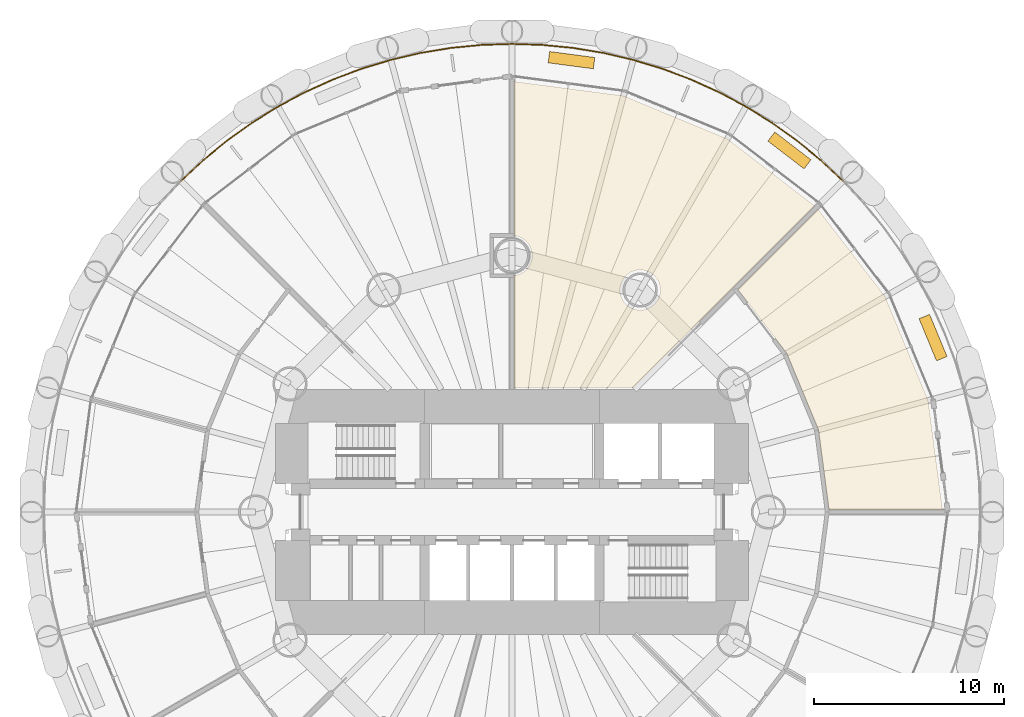
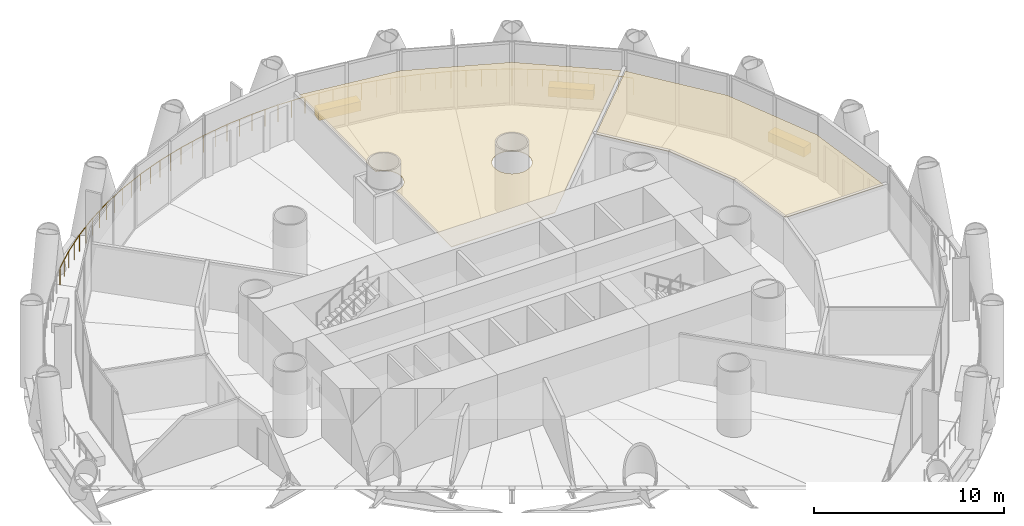
# One storey, part 16 of 16: 5 coverings, 1 railing.
"""IFC4 building model written with IfcOpenShell, lengths in metres."""

from ifc_helpers import new_model, si_unit, direction, frame, origin, origin_2d, place, context, subcontext, project, spatial, polyline, rectangle, circle, outline, extrude, material, layer, layer_set, type_object, element, save


model = new_model("IFC4")

# Units and contexts
model_context = context("Model", 3, precision=1e-05, world=origin(), true_north=direction((0.0, 1.0)))
body_context = subcontext(model_context, "Body", "Model", "MODEL_VIEW")
ifc_project = project(units=[si_unit("LENGTHUNIT", "METRE"), si_unit("AREAUNIT", "SQUARE_METRE"), si_unit("VOLUMEUNIT", "CUBIC_METRE"), si_unit("PLANEANGLEUNIT", "RADIAN"), si_unit("MASSUNIT", "GRAM", prefix="KILO")], contexts=[model_context])

# Site, building, storey
site_placement = place(None, origin())
site = spatial("IfcSite", under=ifc_project, at=site_placement, CompositionType="ELEMENT")
building_placement = place(site_placement, origin())
building = spatial("IfcBuilding", under=site, at=building_placement, Name="Qaws Media Tower", CompositionType="ELEMENT")
storey_placement = place(building_placement, frame((0.0, 0.0, 105.800048828125)))
storey = spatial("IfcBuildingStorey", under=building, at=storey_placement, Name="L23", CompositionType="ELEMENT", Elevation=105.800048828125)

# Coverings
ifc_material_1 = material(Name="40 perforated acoustic panels with mineral wool backing, suspended", Category="mineral fibre")
ifc_layer_1 = layer(ifc_material_1, 0.0400390625)
ifc_layer_set_1 = layer_set([ifc_layer_1], Name="Acoustic panel ceiling 40")
covering_type_1 = type_object("IfcCoveringType", Name="Acoustic panel ceiling 40", PredefinedType="CEILING", material=ifc_layer_set_1)
covering_1_placement = place(storey_placement, frame((0.0, 0.0, 2.849853515625)))
element("IfcCovering", 1, at=covering_1_placement, inside=storey, type_object=covering_type_1, Name="CL3 ceiling L23-02 Staff restaurant", PredefinedType="CEILING", context=body_context, shape_type="SweptSolid", body=[
    extrude(outline(polyline([(79.64599609375, 61.342529296875), (81.912353515625, 55.871337890625), (82.67041015625, 50.112548828125), (76.69873046875, 50.112548828125), (76.14404296875, 54.32568359375), (74.474365234375, 58.356689453125), (71.88720703125, 61.728271484375), (76.110107421875, 65.950927734375), (79.64599609375, 61.342529296875)])), origin(), (0.0, 0.0, 1.0), 0.0400390625),
])
covering_2_placement = place(storey_placement, frame((0.0, 0.0, 2.849853515625)))
element("IfcCovering", 2, at=covering_2_placement, inside=storey, type_object=covering_type_1, Name="CL3 ceiling L23-03 Staff restaurant", PredefinedType="CEILING", context=body_context, shape_type="SweptSolid", body=[
    extrude(outline(polyline([(65.871337890625, 71.912353515625), (71.342529296875, 69.64599609375), (75.950927734375, 66.110107421875), (66.4033203125, 56.5625), (60.112548828125, 56.5625), (60.112548828125, 62.447509765625), (60.138427734375, 62.44921875), (60.2744140625, 62.47607421875), (60.405517578125, 62.520751953125), (60.530029296875, 62.58203125), (60.645263671875, 62.658935546875), (60.74951171875, 62.75048828125), (60.841064453125, 62.854736328125), (60.91796875, 62.969970703125), (60.979248046875, 63.094482421875), (61.02392578125, 63.2255859375), (61.05078125, 63.361572265625), (61.06005859375, 63.5), (61.05078125, 63.638427734375), (61.02392578125, 63.7744140625), (60.979248046875, 63.905517578125), (60.91796875, 64.030029296875), (60.841064453125, 64.145263671875), (60.74951171875, 64.24951171875), (60.645263671875, 64.341064453125), (60.530029296875, 64.41796875), (60.405517578125, 64.479248046875), (60.2744140625, 64.52392578125), (60.138427734375, 64.55078125), (60.112548828125, 64.552490234375), (60.112548828125, 72.67041015625), (65.871337890625, 71.912353515625)]), holes=[polyline([(67.729248046875, 61.28564453125), (67.77392578125, 61.4169921875), (67.80078125, 61.552978515625), (67.81005859375, 61.69140625), (67.80078125, 61.82958984375), (67.77392578125, 61.9658203125), (67.729248046875, 62.096923828125), (67.66796875, 62.22119140625), (67.591064453125, 62.336669921875), (67.49951171875, 62.44091796875), (67.395263671875, 62.5322265625), (67.280029296875, 62.609375), (67.155517578125, 62.670654296875), (67.0244140625, 62.715087890625), (66.888427734375, 62.7421875), (66.75, 62.751220703125), (66.611572265625, 62.7421875), (66.4755859375, 62.715087890625), (66.344482421875, 62.670654296875), (66.219970703125, 62.609375), (66.104736328125, 62.5322265625), (66.00048828125, 62.44091796875), (65.908935546875, 62.336669921875), (65.83203125, 62.22119140625), (65.770751953125, 62.096923828125), (65.72607421875, 61.9658203125), (65.69921875, 61.82958984375), (65.68994140625, 61.69140625), (65.69921875, 61.552978515625), (65.72607421875, 61.4169921875), (65.770751953125, 61.28564453125), (65.83203125, 61.161376953125), (65.908935546875, 61.046142578125), (66.00048828125, 60.94189453125), (66.104736328125, 60.850341796875), (66.219970703125, 60.7734375), (66.344482421875, 60.7119140625), (66.4755859375, 60.66748046875), (66.611572265625, 60.640380859375), (66.75, 60.63134765625), (66.888427734375, 60.640380859375), (67.0244140625, 60.66748046875), (67.155517578125, 60.7119140625), (67.280029296875, 60.7734375), (67.395263671875, 60.850341796875), (67.49951171875, 60.94189453125), (67.591064453125, 61.046142578125), (67.66796875, 61.161376953125), (67.729248046875, 61.28564453125)])]), origin(), (0.0, 0.0, 1.0), 0.0400390625),
])

# Railing
ifc_material_2 = material(Name="Stainless steel and glass guard", Category="steel")
railing_type = type_object("IfcRailingType", Name="Balcony guard 1100", PredefinedType="GUARDRAIL", material=ifc_material_2)
railing_placement = place(storey_placement, frame((77.43017578125, 67.43017578125, 0.0)))
element("IfcRailing", 3, at=railing_placement, inside=storey, type_object=railing_type, Name="GR1 balcony guard L23-1", PredefinedType="GUARDRAIL", context=body_context, shape_type="SweptSolid", body=[
    extrude(circle(Radius=0.02392578125, at=origin_2d()), frame((0.0, 0.0, 1.076171875), z_axis=(-0.729810897711, 0.683649071953, 0.0), x_axis=(-0.683649071953, -0.729810897711, 0.0)), (0.0, 0.0, 1.0), 1.613037109375),
    extrude(circle(Radius=0.02392578125, at=origin_2d()), frame((-1.17724609375, 1.102783203125, 1.076171875), z_axis=(-0.773086691334, 0.634300376543, 0.0), x_axis=(-0.634300376543, -0.773086691334, 0.0)), (0.0, 0.0, 1.0), 1.613037109375),
    extrude(circle(Radius=0.02392578125, at=origin_2d()), frame((-2.42431640625, 2.1259765625, 1.076171875), z_axis=(-0.8128529613, 0.582468937632, 0.0), x_axis=(-0.582468937632, -0.8128529613, 0.0)), (0.0, 0.0, 1.0), 1.61279296875),
    extrude(circle(Radius=0.02392578125, at=origin_2d()), frame((-3.7353515625, 3.0654296875, 1.076171875), z_axis=(-0.849211955716, 0.52805213215, 0.0), x_axis=(-0.52805213215, -0.849211955716, 0.0)), (0.0, 0.0, 1.0), 1.613037109375),
    extrude(circle(Radius=0.02392578125, at=origin_2d()), frame((-5.105224609375, 3.917236328125, 1.076171875), z_axis=(-0.881895867878, 0.471444247201, 0.0), x_axis=(-0.471444247201, -0.881895867878, 0.0)), (0.0, 0.0, 1.0), 1.613037109375),
    extrude(circle(Radius=0.02392578125, at=origin_2d()), frame((-6.52783203125, 4.677734375, 1.076171875), z_axis=(-0.910847911629, 0.412742149387, 0.0), x_axis=(-0.412742149387, -0.910847911629, 0.0)), (0.0, 0.0, 1.0), 1.613037109375),
    extrude(circle(Radius=0.02392578125, at=origin_2d()), frame((-7.9970703125, 5.343505859375, 1.076171875), z_axis=(-0.93591173605, 0.352234612614, 0.0), x_axis=(-0.352234612614, -0.93591173605, 0.0)), (0.0, 0.0, 1.0), 1.61279296875),
    extrude(circle(Radius=0.02392578125, at=origin_2d()), frame((-9.506591796875, 5.91162109375, 1.076171875), z_axis=(-0.956942903571, 0.290276212091, 0.0), x_axis=(-0.290276212091, -0.956942903571, 0.0)), (0.0, 0.0, 1.0), 1.613037109375),
    extrude(circle(Radius=0.02392578125, at=origin_2d()), frame((-11.05029296875, 6.3798828125, 1.076171875), z_axis=(-0.973883619679, 0.22704778202, 0.0), x_axis=(-0.22704778202, -0.973883619679, 0.0)), (0.0, 0.0, 1.0), 1.613037109375),
    extrude(circle(Radius=0.02392578125, at=origin_2d()), frame((-12.62109375, 6.74609375, 1.076171875), z_axis=(-0.986626086838, 0.162999891935, 0.0), x_axis=(-0.162999891935, -0.986626086838, 0.0)), (0.0, 0.0, 1.0), 1.613037109375),
    extrude(circle(Radius=0.02392578125, at=origin_2d()), frame((-14.212646484375, 7.009033203125, 1.076171875), z_axis=(-0.995193300671, 0.09793004799, 0.0), x_axis=(-0.09793004799, -0.995193300671, 0.0)), (0.0, 0.0, 1.0), 1.613037109375),
    extrude(circle(Radius=0.02392578125, at=origin_2d()), frame((-15.81787109375, 7.1669921875, 1.076171875), z_axis=(-0.999465540133, 0.032689969211, 0.0), x_axis=(-0.032689969211, -0.999465540133, 0.0)), (0.0, 0.0, 1.0), 1.61328125),
    extrude(circle(Radius=0.02392578125, at=origin_2d()), frame((-17.43017578125, 7.2197265625, 1.076171875), z_axis=(-0.999465540133, -0.032689969211, 0.0), x_axis=(0.032689969211, -0.999465540133, 0.0)), (0.0, 0.0, 1.0), 1.61328125),
    extrude(circle(Radius=0.02392578125, at=origin_2d()), frame((-19.04248046875, 7.1669921875, 1.076171875), z_axis=(-0.995193300671, -0.09793004799, 0.0), x_axis=(0.09793004799, -0.995193300671, 0.0)), (0.0, 0.0, 1.0), 1.613037109375),
    extrude(circle(Radius=0.02392578125, at=origin_2d()), frame((-20.647705078125, 7.009033203125, 1.076171875), z_axis=(-0.986626086838, -0.162999891935, 0.0), x_axis=(0.162999891935, -0.986626086838, 0.0)), (0.0, 0.0, 1.0), 1.613037109375),
    extrude(circle(Radius=0.02392578125, at=origin_2d()), frame((-22.2392578125, 6.74609375, 1.076171875), z_axis=(-0.973883619679, -0.22704778202, 0.0), x_axis=(0.22704778202, -0.973883619679, 0.0)), (0.0, 0.0, 1.0), 1.613037109375),
    extrude(circle(Radius=0.02392578125, at=origin_2d()), frame((-23.81005859375, 6.3798828125, 1.076171875), z_axis=(-0.956942903571, -0.290276212091, 0.0), x_axis=(0.290276212091, -0.956942903571, 0.0)), (0.0, 0.0, 1.0), 1.613037109375),
    extrude(circle(Radius=0.02392578125, at=origin_2d()), frame((-25.353759765625, 5.91162109375, 1.076171875), z_axis=(-0.93591173605, -0.352234612614, 0.0), x_axis=(0.352234612614, -0.93591173605, 0.0)), (0.0, 0.0, 1.0), 1.61279296875),
    extrude(circle(Radius=0.02392578125, at=origin_2d()), frame((-26.86328125, 5.343505859375, 1.076171875), z_axis=(-0.910847911629, -0.412742149387, 0.0), x_axis=(0.412742149387, -0.910847911629, 0.0)), (0.0, 0.0, 1.0), 1.613037109375),
    extrude(circle(Radius=0.02392578125, at=origin_2d()), frame((-28.33251953125, 4.677734375, 1.076171875), z_axis=(-0.881895867878, -0.471444247201, 0.0), x_axis=(0.471444247201, -0.881895867878, 0.0)), (0.0, 0.0, 1.0), 1.613037109375),
    extrude(circle(Radius=0.02392578125, at=origin_2d()), frame((-29.755126953125, 3.917236328125, 1.076171875), z_axis=(-0.849211955716, -0.52805213215, 0.0), x_axis=(0.52805213215, -0.849211955716, 0.0)), (0.0, 0.0, 1.0), 1.613037109375),
    extrude(circle(Radius=0.02392578125, at=origin_2d()), frame((-31.125, 3.0654296875, 1.076171875), z_axis=(-0.8128529613, -0.582468937632, 0.0), x_axis=(0.582468937632, -0.8128529613, 0.0)), (0.0, 0.0, 1.0), 1.61279296875),
    extrude(circle(Radius=0.02392578125, at=origin_2d()), frame((-32.43603515625, 2.1259765625, 1.076171875), z_axis=(-0.773086691334, -0.634300376543, 0.0), x_axis=(0.634300376543, -0.773086691334, 0.0)), (0.0, 0.0, 1.0), 1.613037109375),
    extrude(circle(Radius=0.02392578125, at=origin_2d()), frame((-33.68310546875, 1.102783203125, 1.076171875), z_axis=(-0.729810897711, -0.683649071953, 0.0), x_axis=(0.683649071953, -0.729810897711, 0.0)), (0.0, 0.0, 1.0), 1.613037109375),
    extrude(circle(Radius=0.02099609375, at=origin_2d()), origin(), (0.0, 0.0, 1.0), 1.052001953125),
    extrude(circle(Radius=0.02099609375, at=origin_2d()), frame((-0.588623046875, 0.55126953125, 0.0)), (0.0, 0.0, 1.0), 1.052001953125),
    extrude(circle(Radius=0.02099609375, at=origin_2d()), frame((-1.17724609375, 1.102783203125, 0.0)), (0.0, 0.0, 1.0), 1.052001953125),
    extrude(circle(Radius=0.02099609375, at=origin_2d()), frame((-1.80078125, 1.6142578125, 0.0)), (0.0, 0.0, 1.0), 1.052001953125),
    extrude(circle(Radius=0.02099609375, at=origin_2d()), frame((-2.42431640625, 2.1259765625, 0.0)), (0.0, 0.0, 1.0), 1.052001953125),
    extrude(circle(Radius=0.02099609375, at=origin_2d()), frame((-3.079833984375, 2.595703125, 0.0)), (0.0, 0.0, 1.0), 1.052001953125),
    extrude(circle(Radius=0.02099609375, at=origin_2d()), frame((-3.7353515625, 3.0654296875, 0.0)), (0.0, 0.0, 1.0), 1.052001953125),
    extrude(circle(Radius=0.02099609375, at=origin_2d()), frame((-4.42041015625, 3.4912109375, 0.0)), (0.0, 0.0, 1.0), 1.052001953125),
    extrude(circle(Radius=0.02099609375, at=origin_2d()), frame((-5.105224609375, 3.917236328125, 0.0)), (0.0, 0.0, 1.0), 1.052001953125),
    extrude(circle(Radius=0.02099609375, at=origin_2d()), frame((-5.81640625, 4.29736328125, 0.0)), (0.0, 0.0, 1.0), 1.052001953125),
    extrude(circle(Radius=0.02099609375, at=origin_2d()), frame((-6.52783203125, 4.677734375, 0.0)), (0.0, 0.0, 1.0), 1.052001953125),
    extrude(circle(Radius=0.02099609375, at=origin_2d()), frame((-7.262451171875, 5.0107421875, 0.0)), (0.0, 0.0, 1.0), 1.052001953125),
    extrude(circle(Radius=0.02099609375, at=origin_2d()), frame((-7.9970703125, 5.343505859375, 0.0)), (0.0, 0.0, 1.0), 1.052001953125),
    extrude(circle(Radius=0.02099609375, at=origin_2d()), frame((-8.751953125, 5.62744140625, 0.0)), (0.0, 0.0, 1.0), 1.052001953125),
    extrude(circle(Radius=0.02099609375, at=origin_2d()), frame((-9.506591796875, 5.91162109375, 0.0)), (0.0, 0.0, 1.0), 1.052001953125),
    extrude(circle(Radius=0.02099609375, at=origin_2d()), frame((-10.2783203125, 6.145751953125, 0.0)), (0.0, 0.0, 1.0), 1.052001953125),
    extrude(circle(Radius=0.02099609375, at=origin_2d()), frame((-11.05029296875, 6.3798828125, 0.0)), (0.0, 0.0, 1.0), 1.052001953125),
    extrude(circle(Radius=0.02099609375, at=origin_2d()), frame((-11.835693359375, 6.56298828125, 0.0)), (0.0, 0.0, 1.0), 1.052001953125),
    extrude(circle(Radius=0.02099609375, at=origin_2d()), frame((-12.62109375, 6.74609375, 0.0)), (0.0, 0.0, 1.0), 1.052001953125),
    extrude(circle(Radius=0.02099609375, at=origin_2d()), frame((-13.4169921875, 6.87744140625, 0.0)), (0.0, 0.0, 1.0), 1.052001953125),
    extrude(circle(Radius=0.02099609375, at=origin_2d()), frame((-14.212646484375, 7.009033203125, 0.0)), (0.0, 0.0, 1.0), 1.052001953125),
    extrude(circle(Radius=0.02099609375, at=origin_2d()), frame((-15.01513671875, 7.087890625, 0.0)), (0.0, 0.0, 1.0), 1.052001953125),
    extrude(circle(Radius=0.02099609375, at=origin_2d()), frame((-15.81787109375, 7.1669921875, 0.0)), (0.0, 0.0, 1.0), 1.052001953125),
    extrude(circle(Radius=0.02099609375, at=origin_2d()), frame((-16.6240234375, 7.193359375, 0.0)), (0.0, 0.0, 1.0), 1.052001953125),
    extrude(circle(Radius=0.02099609375, at=origin_2d()), frame((-17.43017578125, 7.2197265625, 0.0)), (0.0, 0.0, 1.0), 1.052001953125),
    extrude(circle(Radius=0.02099609375, at=origin_2d()), frame((-18.236328125, 7.193359375, 0.0)), (0.0, 0.0, 1.0), 1.052001953125),
    extrude(circle(Radius=0.02099609375, at=origin_2d()), frame((-19.04248046875, 7.1669921875, 0.0)), (0.0, 0.0, 1.0), 1.052001953125),
    extrude(circle(Radius=0.02099609375, at=origin_2d()), frame((-19.84521484375, 7.087890625, 0.0)), (0.0, 0.0, 1.0), 1.052001953125),
    extrude(circle(Radius=0.02099609375, at=origin_2d()), frame((-20.647705078125, 7.009033203125, 0.0)), (0.0, 0.0, 1.0), 1.052001953125),
    extrude(circle(Radius=0.02099609375, at=origin_2d()), frame((-21.443359375, 6.87744140625, 0.0)), (0.0, 0.0, 1.0), 1.052001953125),
    extrude(circle(Radius=0.02099609375, at=origin_2d()), frame((-22.2392578125, 6.74609375, 0.0)), (0.0, 0.0, 1.0), 1.052001953125),
    extrude(circle(Radius=0.02099609375, at=origin_2d()), frame((-23.024658203125, 6.56298828125, 0.0)), (0.0, 0.0, 1.0), 1.052001953125),
    extrude(circle(Radius=0.02099609375, at=origin_2d()), frame((-23.81005859375, 6.3798828125, 0.0)), (0.0, 0.0, 1.0), 1.052001953125),
    extrude(circle(Radius=0.02099609375, at=origin_2d()), frame((-24.58203125, 6.145751953125, 0.0)), (0.0, 0.0, 1.0), 1.052001953125),
    extrude(circle(Radius=0.02099609375, at=origin_2d()), frame((-25.353759765625, 5.91162109375, 0.0)), (0.0, 0.0, 1.0), 1.052001953125),
    extrude(circle(Radius=0.02099609375, at=origin_2d()), frame((-26.1083984375, 5.62744140625, 0.0)), (0.0, 0.0, 1.0), 1.052001953125),
    extrude(circle(Radius=0.02099609375, at=origin_2d()), frame((-26.86328125, 5.343505859375, 0.0)), (0.0, 0.0, 1.0), 1.052001953125),
    extrude(circle(Radius=0.02099609375, at=origin_2d()), frame((-27.597900390625, 5.0107421875, 0.0)), (0.0, 0.0, 1.0), 1.052001953125),
    extrude(circle(Radius=0.02099609375, at=origin_2d()), frame((-28.33251953125, 4.677734375, 0.0)), (0.0, 0.0, 1.0), 1.052001953125),
    extrude(circle(Radius=0.02099609375, at=origin_2d()), frame((-29.0439453125, 4.29736328125, 0.0)), (0.0, 0.0, 1.0), 1.052001953125),
    extrude(circle(Radius=0.02099609375, at=origin_2d()), frame((-29.755126953125, 3.917236328125, 0.0)), (0.0, 0.0, 1.0), 1.052001953125),
    extrude(circle(Radius=0.02099609375, at=origin_2d()), frame((-30.43994140625, 3.4912109375, 0.0)), (0.0, 0.0, 1.0), 1.052001953125),
    extrude(circle(Radius=0.02099609375, at=origin_2d()), frame((-31.125, 3.0654296875, 0.0)), (0.0, 0.0, 1.0), 1.052001953125),
    extrude(circle(Radius=0.02099609375, at=origin_2d()), frame((-31.780517578125, 2.595703125, 0.0)), (0.0, 0.0, 1.0), 1.052001953125),
    extrude(circle(Radius=0.02099609375, at=origin_2d()), frame((-32.43603515625, 2.1259765625, 0.0)), (0.0, 0.0, 1.0), 1.052001953125),
    extrude(circle(Radius=0.02099609375, at=origin_2d()), frame((-33.0595703125, 1.6142578125, 0.0)), (0.0, 0.0, 1.0), 1.052001953125),
    extrude(circle(Radius=0.02099609375, at=origin_2d()), frame((-33.68310546875, 1.102783203125, 0.0)), (0.0, 0.0, 1.0), 1.052001953125),
    extrude(circle(Radius=0.02099609375, at=origin_2d()), frame((-34.271728515625, 0.55126953125, 0.0)), (0.0, 0.0, 1.0), 1.052001953125),
    extrude(circle(Radius=0.02099609375, at=origin_2d()), frame((-34.8603515625, 0.0, 0.0)), (0.0, 0.0, 1.0), 1.052001953125),
])

# Coverings
ifc_material_3 = material(Name="Precast concrete planter with trailing planting", Category="concrete")
ifc_layer_2 = layer(ifc_material_3, 0.60009765625)
ifc_layer_set_2 = layer_set([ifc_layer_2], Name="Planter 2400x600")
covering_type_2 = type_object("IfcCoveringType", Name="Planter 2400x600", PredefinedType="USERDEFINED", material=ifc_layer_set_2)
for number, where, z_axis, x_axis, name in (
    (4, (82.173095703125, 59.184326171875, 0.0), (0.0, 0.0, 1.0), (-0.382683432365, 0.923879532511, 0.0), "PL1 balcony planter L23-01"),
    (5, (74.6103515625, 69.04052734375, 0.0), (0.0, 0.0, 1.0), (-0.793353340291, 0.608761429009, 0.0), "PL1 balcony planter L23-02"),
    (6, (63.132568359375, 73.794677734375, 0.0), (0.0, 0.0, 1.0), (-0.991444861374, 0.13052619222, 0.0), "PL1 balcony planter L23-03"),
):
    element("IfcCovering", number, at=place(storey_placement, frame(where, z_axis=z_axis, x_axis=x_axis)), inside=storey, type_object=covering_type_2, Name=name, ObjectType="PLANTER", PredefinedType="USERDEFINED", context=body_context, shape_type="SweptSolid", body=[
        extrude(rectangle(XDim=2.39990234375, YDim=0.60009765625, at=origin_2d()), origin(), (0.0, 0.0, 1.0), 0.60009765625),
    ])

save(model, "model.ifc")
